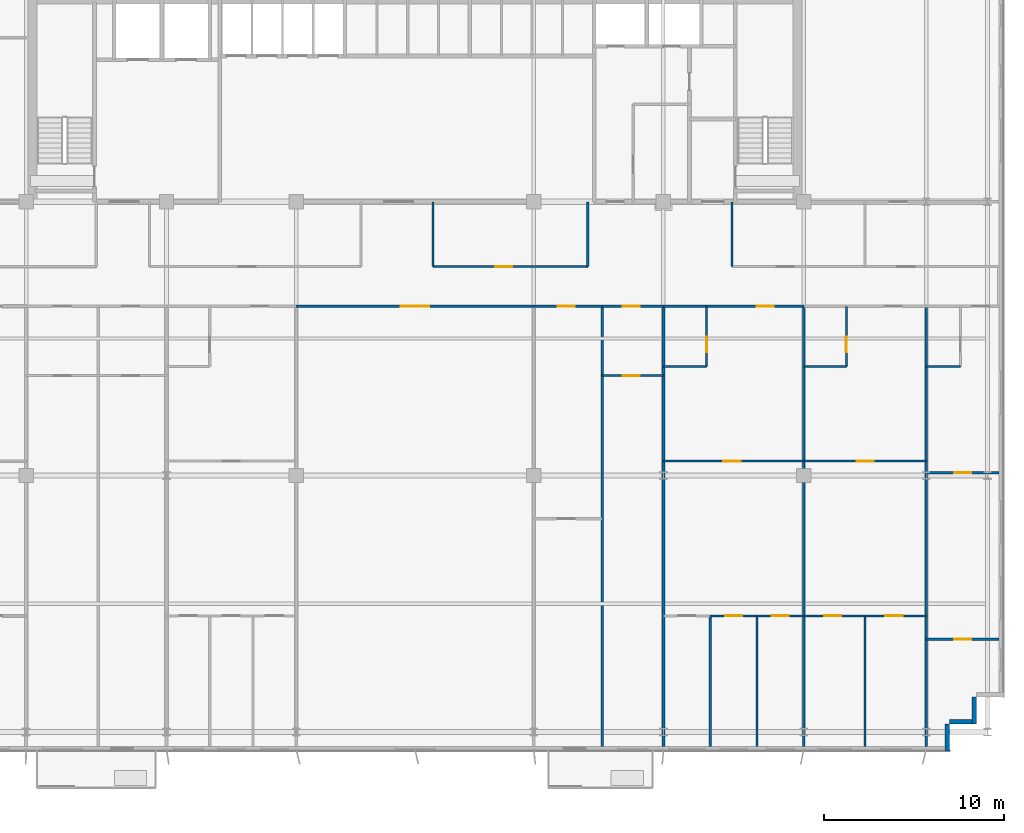
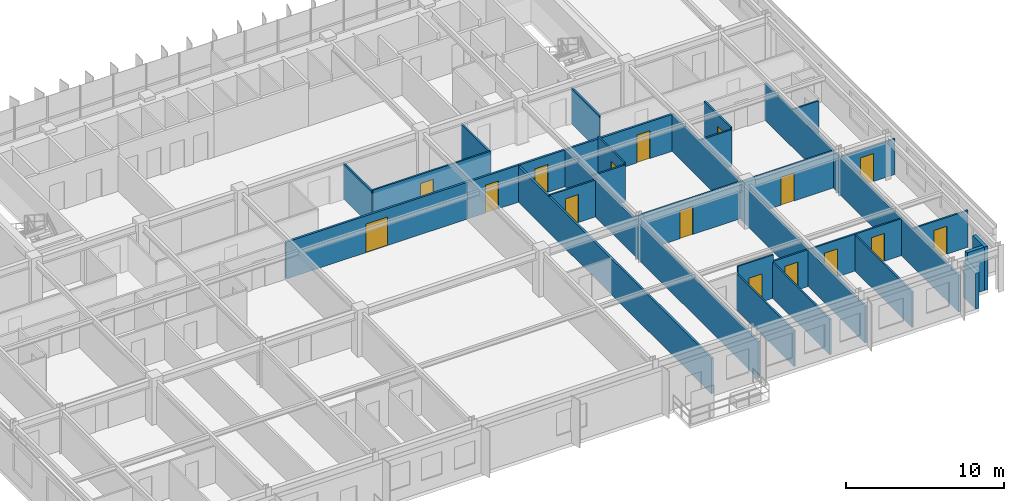
# One storey, part 16 of 22: 32 walls, 16 doors, 16 openings.
"""IFC4 building model written with IfcOpenShell, lengths in metres."""

from ifc_helpers import new_model, si_unit, direction, frame, frame_2d, origin, place, context, subcontext, project, spatial, rectangle, extrude, source, transform, mapped, material, layer, layer_set, type_object, element, fill, save


model = new_model("IFC4")

# Units and contexts
model_context = context("Model", 3, precision=1e-05, world=origin(), true_north=direction((0.0, 1.0)))
body_context = subcontext(model_context, "Body", "Model", "MODEL_VIEW")
ifc_project = project(units=[si_unit("LENGTHUNIT", "METRE"), si_unit("AREAUNIT", "SQUARE_METRE"), si_unit("VOLUMEUNIT", "CUBIC_METRE"), si_unit("PLANEANGLEUNIT", "RADIAN"), si_unit("MASSUNIT", "GRAM", prefix="KILO")], contexts=[model_context])

# Site, building, storey
site_placement = place(None, origin())
site = spatial("IfcSite", under=ifc_project, at=site_placement, CompositionType="ELEMENT")
building_placement = place(site_placement, origin())
building = spatial("IfcBuilding", under=site, at=building_placement, Name="Trelvane Seafront Commons", CompositionType="ELEMENT")
storey_placement = place(building_placement, frame((0.0, 0.0, 92.5)))
storey = spatial("IfcBuildingStorey", under=building, at=storey_placement, Name="L23", CompositionType="ELEMENT", Elevation=92.5)

# Walls
ifc_material_1 = material(Name="Precast concrete C40/50", Category="concrete")
ifc_layer_1 = layer(ifc_material_1, 0.260009765625, Name="ARCH-WALL-EXT260")
ifc_layer_set_1 = layer_set([ifc_layer_1], Name="Precast concrete C40/50")
wall_type_1 = type_object("IfcWallType", Name="ARCH-WALL-EXT260", PredefinedType="SOLIDWALL", material=ifc_layer_set_1)
for number, where, z_axis, x_axis, name in (
    (1, (68.27001953125, 5.89990234375, 0.0), (0.0, 0.0, 1.0), (0.0, -1.0, 0.0), "EW-L23-00428"),
    (2, (68.39990234375, 4.530029296875, 0.0), (0.0, 0.0, 1.0), (-1.0, 0.0, 0.0), "EW-L23-00429"),
):
    element("IfcWall", number, at=place(storey_placement, frame(where, z_axis=z_axis, x_axis=x_axis)), inside=storey, type_object=wall_type_1, Name=name, PredefinedType="SOLIDWALL", context=body_context, shape_type="SweptSolid", body=[
        extrude(rectangle(XDim=1.5, YDim=0.260009765625, at=frame_2d((0.75, 0.0))), origin(), (0.0, 0.0, 1.0), 3.340087890625),
    ])
wall_1_placement = place(storey_placement, frame((66.77001953125, 4.39990234375, 0.0), z_axis=(0.0, 0.0, 1.0), x_axis=(0.0, -1.0, 0.0)))
element("IfcWall", 3, at=wall_1_placement, inside=storey, type_object=wall_type_1, Name="EW-L23-00430", PredefinedType="SOLIDWALL", context=body_context, shape_type="SweptSolid", body=[
    extrude(rectangle(XDim=1.5, YDim=0.260009765625, at=frame_2d((0.75, 0.0))), origin(), (0.0, 0.0, 1.0), 2.751953125),
])

# Wall, opening, door
ifc_material_2 = material(Name="Gypsum Drywall Acoustic Partition")
ifc_layer_2 = layer(ifc_material_2, 0.1201171875, Name="ARCH-WALL-PART120")
ifc_layer_set_2 = layer_set([ifc_layer_2], Name="Gypsum Drywall Acoustic Partition")
wall_type_2 = type_object("IfcWallType", Name="ARCH-WALL-PART120", PredefinedType="PARTITIONING", material=ifc_layer_set_2)
wall_2_placement = place(storey_placement, frame((38.199951171875, 29.800048828125, 0.0), z_axis=(0.0, 0.0, 1.0), x_axis=(1.0, 0.0, 0.0)))
wall_2 = element("IfcWall", 4, at=wall_2_placement, inside=storey, type_object=wall_type_2, Name="W-L23-CORR-N-M2-040", PredefinedType="PARTITIONING", context=body_context, shape_type="SweptSolid", body=[
    extrude(rectangle(XDim=8.60009765625, YDim=0.1201171875, at=frame_2d((4.300048828125, 0.0))), origin(), (0.0, 0.0, 1.0), 2.840087890625),
])
opening_1_placement = place(wall_2_placement, frame((3.4619140625, 0.0, 0.0)))
opening_1 = element("IfcOpeningElement", 5, at=opening_1_placement, cuts=wall_2, Name="Opening D-L23-19", PredefinedType="OPENING", context=body_context, shape_type="SweptSolid", body=[
    extrude(rectangle(XDim=0.949951171875, YDim=2.14990234375, at=frame_2d((0.47509765625, 1.074951171875))), frame((0.0, 0.070068359375, 0.0), z_axis=(0.0, -1.0, 0.0), x_axis=(1.0, 0.0, 0.0)), (0.0, 0.0, 1.0), 0.14013671875),
])
ifc_material_3 = material(Name="Acoustic timber door leaf", Category="wood")
door_type_1 = type_object("IfcDoorType", Name="ARCH-DR-INT950", OperationType="NOTDEFINED", PredefinedType="DOOR", material=ifc_material_3)
shared_shape_1 = source(origin(), body_context, "Body", "SweptSolid", [
    extrude(rectangle(XDim=0.949951171875, YDim=2.14990234375, at=frame_2d((0.47509765625, 1.074951171875))), frame((0.0, 0.02490234375, 0.0), z_axis=(0.0, -1.0, 0.0), x_axis=(1.0, 0.0, 0.0)), (0.0, 0.0, 1.0), 0.050048828125),
])
door_1_placement = place(opening_1_placement, origin())
door_1 = element("IfcDoor", 6, at=door_1_placement, inside=storey, type_object=door_type_1, Name="L23 Door 19", OperationType="SINGLE_SWING_LEFT", OverallHeight=2.14990234375, OverallWidth=0.949951171875, PredefinedType="DOOR", context=body_context, shape_type="MappedRepresentation", body=[
    mapped(shared_shape_1, transform((0.0, 0.0, 0.0), x_axis=(1.0, 0.0, 0.0), y_axis=(0.0, 1.0, 0.0), z_axis=(0.0, 0.0, 1.0), scale=1.0)),
])
fill(opening_1, door_1)

# Walls
for number, where, z_axis, x_axis, name in (
    (7, (38.199951171875, 29.800048828125, 0.0), (0.0, 0.0, 1.0), (0.0, 1.0, 0.0), "W-L23-N-SPUR-M2-046"),
    (8, (46.800048828125, 29.800048828125, 0.0), (0.0, 0.0, 1.0), (0.0, 1.0, 0.0), "W-L23-N-SPUR-E1-047"),
    (9, (54.800048828125, 29.800048828125, 0.0), (0.0, 0.0, 1.0), (0.0, 1.0, 0.0), "W-L23-N-SPUR-E2-048"),
):
    element("IfcWall", number, at=place(storey_placement, frame(where, z_axis=z_axis, x_axis=x_axis)), inside=storey, type_object=wall_type_2, Name=name, PredefinedType="PARTITIONING", context=body_context, shape_type="SweptSolid", body=[
        extrude(rectangle(XDim=3.599853515625, YDim=0.1201171875, at=frame_2d((1.7998046875, 0.0))), origin(), (0.0, 0.0, 1.0), 2.751953125),
    ])

# Wall, opening, door
wall_3_placement = place(storey_placement, frame((47.60009765625, 23.75, 0.0), z_axis=(0.0, 0.0, 1.0), x_axis=(1.0, 0.0, 0.0)))
wall_3 = element("IfcWall", 10, at=wall_3_placement, inside=storey, type_object=wall_type_2, Name="W-L23-U8-DIV-098", PredefinedType="PARTITIONING", context=body_context, shape_type="SweptSolid", body=[
    extrude(rectangle(XDim=3.39990234375, YDim=0.1201171875, at=frame_2d((1.699951171875, 0.0))), origin(), (0.0, 0.0, 1.0), 2.840087890625),
])
opening_2_placement = place(wall_3_placement, frame((1.131103515625, 0.0, 0.0)))
opening_2 = element("IfcOpeningElement", 11, at=opening_2_placement, cuts=wall_3, Name="Opening D-L23-53", PredefinedType="OPENING", context=body_context, shape_type="SweptSolid", body=[
    extrude(rectangle(XDim=0.949951171875, YDim=2.14990234375, at=frame_2d((0.47509765625, 1.074951171875))), frame((0.0, 0.070068359375, 0.0), z_axis=(0.0, -1.0, 0.0), x_axis=(1.0, 0.0, 0.0)), (0.0, 0.0, 1.0), 0.14013671875),
])
door_2_placement = place(opening_2_placement, origin())
door_2 = element("IfcDoor", 12, at=door_2_placement, inside=storey, type_object=door_type_1, Name="L23 Door 53", OperationType="SINGLE_SWING_LEFT", OverallHeight=2.14990234375, OverallWidth=0.949951171875, PredefinedType="DOOR", context=body_context, shape_type="MappedRepresentation", body=[
    mapped(shared_shape_1, transform((0.0, 0.0, 0.0), x_axis=(1.0, 0.0, 0.0), y_axis=(0.0, 1.0, 0.0), z_axis=(0.0, 0.0, 1.0), scale=1.0)),
])
fill(opening_2, door_2)

wall_4_placement = place(storey_placement, frame((51.0, 19.0, 0.0), z_axis=(0.0, 0.0, 1.0), x_axis=(1.0, 0.0, 0.0)))
wall_4 = element("IfcWall", 13, at=wall_4_placement, inside=storey, type_object=wall_type_2, Name="W-L23-U9-KL-099", PredefinedType="PARTITIONING", context=body_context, shape_type="SweptSolid", body=[
    extrude(rectangle(XDim=7.800048828125, YDim=0.1201171875, at=frame_2d((3.89990234375, 0.0))), origin(), (0.0, 0.0, 1.0), 2.840087890625),
])
opening_3_placement = place(wall_4_placement, frame((3.3330078125, 0.0, 0.0)))
opening_3 = element("IfcOpeningElement", 14, at=opening_3_placement, cuts=wall_4, Name="Opening D-L23-54", PredefinedType="OPENING", context=body_context, shape_type="SweptSolid", body=[
    extrude(rectangle(XDim=0.949951171875, YDim=2.14990234375, at=frame_2d((0.47509765625, 1.074951171875))), frame((0.0, 0.070068359375, 0.0), z_axis=(0.0, -1.0, 0.0), x_axis=(1.0, 0.0, 0.0)), (0.0, 0.0, 1.0), 0.14013671875),
])
door_3_placement = place(opening_3_placement, origin())
door_3 = element("IfcDoor", 15, at=door_3_placement, inside=storey, type_object=door_type_1, Name="L23 Door 54", OperationType="SINGLE_SWING_RIGHT", OverallHeight=2.14990234375, OverallWidth=0.949951171875, PredefinedType="DOOR", context=body_context, shape_type="MappedRepresentation", body=[
    mapped(shared_shape_1, transform((0.0, 0.0, 0.0), x_axis=(1.0, 0.0, 0.0), y_axis=(0.0, 1.0, 0.0), z_axis=(0.0, 0.0, 1.0), scale=1.0)),
])
fill(opening_3, door_3)

wall_5_placement = place(storey_placement, frame((53.39990234375, 24.25, 0.0), z_axis=(0.0, 0.0, 1.0), x_axis=(0.0, 1.0, 0.0)))
wall_5 = element("IfcWall", 16, at=wall_5_placement, inside=storey, type_object=wall_type_2, Name="W-L23-U9-BE-100", PredefinedType="PARTITIONING", context=body_context, shape_type="SweptSolid", body=[
    extrude(rectangle(XDim=3.35009765625, YDim=0.1201171875, at=frame_2d((1.675048828125, 0.0))), origin(), (0.0, 0.0, 1.0), 2.989990234375),
])
opening_4_placement = place(wall_5_placement, frame((0.800048828125, 0.0, 0.0)))
opening_4 = element("IfcOpeningElement", 17, at=opening_4_placement, cuts=wall_5, Name="Opening D-L23-55", PredefinedType="OPENING", context=body_context, shape_type="SweptSolid", body=[
    extrude(rectangle(XDim=0.85009765625, YDim=2.10009765625, at=frame_2d((0.425048828125, 1.050048828125))), frame((0.0, 0.070068359375, 0.0), z_axis=(0.0, -1.0, 0.0), x_axis=(1.0, 0.0, 0.0)), (0.0, 0.0, 1.0), 0.14013671875),
])
door_type_2 = type_object("IfcDoorType", Name="ARCH-DR-INT850", OperationType="NOTDEFINED", PredefinedType="DOOR", material=ifc_material_3)
shared_shape_2 = source(origin(), body_context, "Body", "SweptSolid", [
    extrude(rectangle(XDim=0.85009765625, YDim=2.10009765625, at=frame_2d((0.425048828125, 1.050048828125))), frame((0.0, 0.02490234375, 0.0), z_axis=(0.0, -1.0, 0.0), x_axis=(1.0, 0.0, 0.0)), (0.0, 0.0, 1.0), 0.050048828125),
])
door_4_placement = place(opening_4_placement, origin())
door_4 = element("IfcDoor", 18, at=door_4_placement, inside=storey, type_object=door_type_2, Name="L23 Door 55", OperationType="SINGLE_SWING_LEFT", OverallHeight=2.10009765625, OverallWidth=0.85009765625, PredefinedType="DOOR", context=body_context, shape_type="MappedRepresentation", body=[
    mapped(shared_shape_2, transform((0.0, 0.0, 0.0), x_axis=(1.0, 0.0, 0.0), y_axis=(0.0, 1.0, 0.0), z_axis=(0.0, 0.0, 1.0), scale=1.0)),
])
fill(opening_4, door_4)

# Wall
wall_6_placement = place(storey_placement, frame((51.0, 24.25, 0.0), z_axis=(0.0, 0.0, 1.0), x_axis=(1.0, 0.0, 0.0)))
element("IfcWall", 19, at=wall_6_placement, inside=storey, type_object=wall_type_2, Name="W-L23-U9-BS-101", PredefinedType="PARTITIONING", context=body_context, shape_type="SweptSolid", body=[
    extrude(rectangle(XDim=2.39990234375, YDim=0.1201171875, at=frame_2d((1.199951171875, 0.0))), origin(), (0.0, 0.0, 1.0), 2.840087890625),
])

# Wall, opening, door
wall_7_placement = place(storey_placement, frame((53.60009765625, 10.39990234375, 0.0), z_axis=(0.0, 0.0, 1.0), x_axis=(1.0, 0.0, 0.0)))
wall_7 = element("IfcWall", 20, at=wall_7_placement, inside=storey, type_object=wall_type_2, Name="W-L23-U9-YM-2-104", PredefinedType="PARTITIONING", context=body_context, shape_type="SweptSolid", body=[
    extrude(rectangle(XDim=2.599853515625, YDim=0.1201171875, at=frame_2d((1.2998046875, 0.0))), origin(), (0.0, 0.0, 1.0), 3.340087890625),
])
opening_5_placement = place(wall_7_placement, frame((0.824951171875, 0.0, 0.0)))
opening_5 = element("IfcOpeningElement", 21, at=opening_5_placement, cuts=wall_7, Name="Opening D-L23-58", PredefinedType="OPENING", context=body_context, shape_type="SweptSolid", body=[
    extrude(rectangle(XDim=0.949951171875, YDim=2.14990234375, at=frame_2d((0.47509765625, 1.074951171875))), frame((0.0, 0.070068359375, 0.0), z_axis=(0.0, -1.0, 0.0), x_axis=(1.0, 0.0, 0.0)), (0.0, 0.0, 1.0), 0.14013671875),
])
door_5_placement = place(opening_5_placement, origin())
door_5 = element("IfcDoor", 22, at=door_5_placement, inside=storey, type_object=door_type_1, Name="L23 Door 58", OperationType="SINGLE_SWING_RIGHT", OverallHeight=2.14990234375, OverallWidth=0.949951171875, PredefinedType="DOOR", context=body_context, shape_type="MappedRepresentation", body=[
    mapped(shared_shape_1, transform((0.0, 0.0, 0.0), x_axis=(1.0, 0.0, 0.0), y_axis=(0.0, 1.0, 0.0), z_axis=(0.0, 0.0, 1.0), scale=1.0)),
])
fill(opening_5, door_5)

# Wall
wall_8_placement = place(storey_placement, frame((53.60009765625, 3.14501953125, 0.0), z_axis=(0.0, 0.0, 1.0), x_axis=(0.0, 1.0, 0.0)))
element("IfcWall", 23, at=wall_8_placement, inside=storey, type_object=wall_type_2, Name="W-L23-U9-BDV-1-105", PredefinedType="PARTITIONING", context=body_context, shape_type="SweptSolid", body=[
    extrude(rectangle(XDim=7.2548828125, YDim=0.1201171875, at=frame_2d((3.62744140625, 0.0))), origin(), (0.0, 0.0, 1.0), 2.751953125),
])

# Wall, opening, door
wall_9_placement = place(storey_placement, frame((56.199951171875, 10.39990234375, 0.0), z_axis=(0.0, 0.0, 1.0), x_axis=(1.0, 0.0, 0.0)))
wall_9 = element("IfcWall", 24, at=wall_9_placement, inside=storey, type_object=wall_type_2, Name="W-L23-U9-YM-3-106", PredefinedType="PARTITIONING", context=body_context, shape_type="SweptSolid", body=[
    extrude(rectangle(XDim=2.60009765625, YDim=0.1201171875, at=frame_2d((1.300048828125, 0.0))), origin(), (0.0, 0.0, 1.0), 2.840087890625),
])
opening_6_placement = place(wall_9_placement, frame((0.824951171875, 0.0, 0.0)))
opening_6 = element("IfcOpeningElement", 25, at=opening_6_placement, cuts=wall_9, Name="Opening D-L23-59", PredefinedType="OPENING", context=body_context, shape_type="SweptSolid", body=[
    extrude(rectangle(XDim=0.949951171875, YDim=2.14990234375, at=frame_2d((0.47509765625, 1.074951171875))), frame((0.0, 0.070068359375, 0.0), z_axis=(0.0, -1.0, 0.0), x_axis=(1.0, 0.0, 0.0)), (0.0, 0.0, 1.0), 0.14013671875),
])
door_6_placement = place(opening_6_placement, origin())
door_6 = element("IfcDoor", 26, at=door_6_placement, inside=storey, type_object=door_type_1, Name="L23 Door 59", OperationType="SINGLE_SWING_LEFT", OverallHeight=2.14990234375, OverallWidth=0.949951171875, PredefinedType="DOOR", context=body_context, shape_type="MappedRepresentation", body=[
    mapped(shared_shape_1, transform((0.0, 0.0, 0.0), x_axis=(1.0, 0.0, 0.0), y_axis=(0.0, 1.0, 0.0), z_axis=(0.0, 0.0, 1.0), scale=1.0)),
])
fill(opening_6, door_6)

# Wall
wall_10_placement = place(storey_placement, frame((56.199951171875, 3.14501953125, 0.0), z_axis=(0.0, 0.0, 1.0), x_axis=(0.0, 1.0, 0.0)))
element("IfcWall", 27, at=wall_10_placement, inside=storey, type_object=wall_type_2, Name="W-L23-U9-BDV-2-107", PredefinedType="PARTITIONING", context=body_context, shape_type="SweptSolid", body=[
    extrude(rectangle(XDim=7.2548828125, YDim=0.1201171875, at=frame_2d((3.62744140625, 0.0))), origin(), (0.0, 0.0, 1.0), 2.751953125),
])

# Wall, opening, door
wall_11_placement = place(storey_placement, frame((58.800048828125, 19.0, 0.0), z_axis=(0.0, 0.0, 1.0), x_axis=(1.0, 0.0, 0.0)))
wall_11 = element("IfcWall", 28, at=wall_11_placement, inside=storey, type_object=wall_type_2, Name="W-L23-U10-KL-108", PredefinedType="PARTITIONING", context=body_context, shape_type="SweptSolid", body=[
    extrude(rectangle(XDim=6.800048828125, YDim=0.1201171875, at=frame_2d((3.39990234375, 0.0))), origin(), (0.0, 0.0, 1.0), 2.840087890625),
])
opening_7_placement = place(wall_11_placement, frame((2.925048828125, 0.0, 0.0)))
opening_7 = element("IfcOpeningElement", 29, at=opening_7_placement, cuts=wall_11, Name="Opening D-L23-60", PredefinedType="OPENING", context=body_context, shape_type="SweptSolid", body=[
    extrude(rectangle(XDim=0.949951171875, YDim=2.14990234375, at=frame_2d((0.47509765625, 1.074951171875))), frame((0.0, 0.070068359375, 0.0), z_axis=(0.0, -1.0, 0.0), x_axis=(1.0, 0.0, 0.0)), (0.0, 0.0, 1.0), 0.14013671875),
])
door_7_placement = place(opening_7_placement, origin())
door_7 = element("IfcDoor", 30, at=door_7_placement, inside=storey, type_object=door_type_1, Name="L23 Door 60", OperationType="SINGLE_SWING_RIGHT", OverallHeight=2.14990234375, OverallWidth=0.949951171875, PredefinedType="DOOR", context=body_context, shape_type="MappedRepresentation", body=[
    mapped(shared_shape_1, transform((0.0, 0.0, 0.0), x_axis=(1.0, 0.0, 0.0), y_axis=(0.0, 1.0, 0.0), z_axis=(0.0, 0.0, 1.0), scale=1.0)),
])
fill(opening_7, door_7)

wall_12_placement = place(storey_placement, frame((61.162109375, 24.25, 0.0), z_axis=(0.0, 0.0, 1.0), x_axis=(0.0, 1.0, 0.0)))
wall_12 = element("IfcWall", 31, at=wall_12_placement, inside=storey, type_object=wall_type_2, Name="W-L23-U10-BE-109", PredefinedType="PARTITIONING", context=body_context, shape_type="SweptSolid", body=[
    extrude(rectangle(XDim=3.35009765625, YDim=0.1201171875, at=frame_2d((1.675048828125, 0.0))), origin(), (0.0, 0.0, 1.0), 2.989990234375),
])
opening_8_placement = place(wall_12_placement, frame((0.800048828125, 0.0, 0.0)))
opening_8 = element("IfcOpeningElement", 32, at=opening_8_placement, cuts=wall_12, Name="Opening D-L23-61", PredefinedType="OPENING", context=body_context, shape_type="SweptSolid", body=[
    extrude(rectangle(XDim=0.85009765625, YDim=2.10009765625, at=frame_2d((0.425048828125, 1.050048828125))), frame((0.0, 0.070068359375, 0.0), z_axis=(0.0, -1.0, 0.0), x_axis=(1.0, 0.0, 0.0)), (0.0, 0.0, 1.0), 0.14013671875),
])
door_8_placement = place(opening_8_placement, origin())
door_8 = element("IfcDoor", 33, at=door_8_placement, inside=storey, type_object=door_type_2, Name="L23 Door 61", OperationType="SINGLE_SWING_LEFT", OverallHeight=2.10009765625, OverallWidth=0.85009765625, PredefinedType="DOOR", context=body_context, shape_type="MappedRepresentation", body=[
    mapped(shared_shape_2, transform((0.0, 0.0, 0.0), x_axis=(1.0, 0.0, 0.0), y_axis=(0.0, 1.0, 0.0), z_axis=(0.0, 0.0, 1.0), scale=1.0)),
])
fill(opening_8, door_8)

# Wall
wall_13_placement = place(storey_placement, frame((58.800048828125, 24.25, 0.0), z_axis=(0.0, 0.0, 1.0), x_axis=(1.0, 0.0, 0.0)))
element("IfcWall", 34, at=wall_13_placement, inside=storey, type_object=wall_type_2, Name="W-L23-U10-BS-110", PredefinedType="PARTITIONING", context=body_context, shape_type="SweptSolid", body=[
    extrude(rectangle(XDim=2.362060546875, YDim=0.1201171875, at=frame_2d((1.18115234375, 0.0))), origin(), (0.0, 0.0, 1.0), 2.840087890625),
])

# Wall, opening, door
wall_14_placement = place(storey_placement, frame((58.800048828125, 10.39990234375, 0.0), z_axis=(0.0, 0.0, 1.0), x_axis=(1.0, 0.0, 0.0)))
wall_14 = element("IfcWall", 35, at=wall_14_placement, inside=storey, type_object=wall_type_2, Name="W-L23-U10-YM-1-112", PredefinedType="PARTITIONING", context=body_context, shape_type="SweptSolid", body=[
    extrude(rectangle(XDim=3.39990234375, YDim=0.1201171875, at=frame_2d((1.699951171875, 0.0))), origin(), (0.0, 0.0, 1.0), 2.840087890625),
])
opening_9_placement = place(wall_14_placement, frame((1.131103515625, 0.0, 0.0)))
opening_9 = element("IfcOpeningElement", 36, at=opening_9_placement, cuts=wall_14, Name="Opening D-L23-63", PredefinedType="OPENING", context=body_context, shape_type="SweptSolid", body=[
    extrude(rectangle(XDim=0.949951171875, YDim=2.14990234375, at=frame_2d((0.47509765625, 1.074951171875))), frame((0.0, 0.070068359375, 0.0), z_axis=(0.0, -1.0, 0.0), x_axis=(1.0, 0.0, 0.0)), (0.0, 0.0, 1.0), 0.14013671875),
])
door_9_placement = place(opening_9_placement, origin())
door_9 = element("IfcDoor", 37, at=door_9_placement, inside=storey, type_object=door_type_1, Name="L23 Door 63", OperationType="SINGLE_SWING_LEFT", OverallHeight=2.14990234375, OverallWidth=0.949951171875, PredefinedType="DOOR", context=body_context, shape_type="MappedRepresentation", body=[
    mapped(shared_shape_1, transform((0.0, 0.0, 0.0), x_axis=(1.0, 0.0, 0.0), y_axis=(0.0, 1.0, 0.0), z_axis=(0.0, 0.0, 1.0), scale=1.0)),
])
fill(opening_9, door_9)

wall_15_placement = place(storey_placement, frame((62.199951171875, 10.39990234375, 0.0), z_axis=(0.0, 0.0, 1.0), x_axis=(1.0, 0.0, 0.0)))
wall_15 = element("IfcWall", 38, at=wall_15_placement, inside=storey, type_object=wall_type_2, Name="W-L23-U10-YM-2-113", PredefinedType="PARTITIONING", context=body_context, shape_type="SweptSolid", body=[
    extrude(rectangle(XDim=3.400146484375, YDim=0.1201171875, at=frame_2d((1.7001953125, 0.0))), origin(), (0.0, 0.0, 1.0), 2.840087890625),
])
opening_10_placement = place(wall_15_placement, frame((1.131103515625, 0.0, 0.0)))
opening_10 = element("IfcOpeningElement", 39, at=opening_10_placement, cuts=wall_15, Name="Opening D-L23-64", PredefinedType="OPENING", context=body_context, shape_type="SweptSolid", body=[
    extrude(rectangle(XDim=0.949951171875, YDim=2.14990234375, at=frame_2d((0.47509765625, 1.074951171875))), frame((0.0, 0.070068359375, 0.0), z_axis=(0.0, -1.0, 0.0), x_axis=(1.0, 0.0, 0.0)), (0.0, 0.0, 1.0), 0.14013671875),
])
door_10_placement = place(opening_10_placement, origin())
door_10 = element("IfcDoor", 40, at=door_10_placement, inside=storey, type_object=door_type_1, Name="L23 Door 64", OperationType="SINGLE_SWING_RIGHT", OverallHeight=2.14990234375, OverallWidth=0.949951171875, PredefinedType="DOOR", context=body_context, shape_type="MappedRepresentation", body=[
    mapped(shared_shape_1, transform((0.0, 0.0, 0.0), x_axis=(1.0, 0.0, 0.0), y_axis=(0.0, 1.0, 0.0), z_axis=(0.0, 0.0, 1.0), scale=1.0)),
])
fill(opening_10, door_10)

# Wall
wall_16_placement = place(storey_placement, frame((62.199951171875, 3.14501953125, 0.0), z_axis=(0.0, 0.0, 1.0), x_axis=(0.0, 1.0, 0.0)))
element("IfcWall", 41, at=wall_16_placement, inside=storey, type_object=wall_type_2, Name="W-L23-U10-BDV-1-114", PredefinedType="PARTITIONING", context=body_context, shape_type="SweptSolid", body=[
    extrude(rectangle(XDim=7.2548828125, YDim=0.1201171875, at=frame_2d((3.62744140625, 0.0))), origin(), (0.0, 0.0, 1.0), 2.751953125),
])

# Wall, opening, door
wall_17_placement = place(storey_placement, frame((65.60009765625, 18.35009765625, 0.0), z_axis=(0.0, 0.0, 1.0), x_axis=(1.0, 0.0, 0.0)))
wall_17 = element("IfcWall", 42, at=wall_17_placement, inside=storey, type_object=wall_type_2, Name="W-L23-U11-KL-115", PredefinedType="PARTITIONING", context=body_context, shape_type="SweptSolid", body=[
    extrude(rectangle(XDim=4.039794921875, YDim=0.1201171875, at=frame_2d((2.02001953125, 0.0))), origin(), (0.0, 0.0, 1.0), 2.751953125),
])
opening_11_placement = place(wall_17_placement, frame((1.544921875, 0.0, 0.0)))
opening_11 = element("IfcOpeningElement", 43, at=opening_11_placement, cuts=wall_17, Name="Opening D-L23-65", PredefinedType="OPENING", context=body_context, shape_type="SweptSolid", body=[
    extrude(rectangle(XDim=0.949951171875, YDim=2.14990234375, at=frame_2d((0.47509765625, 1.074951171875))), frame((0.0, 0.070068359375, 0.0), z_axis=(0.0, -1.0, 0.0), x_axis=(1.0, 0.0, 0.0)), (0.0, 0.0, 1.0), 0.14013671875),
])
door_11_placement = place(opening_11_placement, origin())
door_11 = element("IfcDoor", 44, at=door_11_placement, inside=storey, type_object=door_type_1, Name="L23 Door 65", OperationType="SINGLE_SWING_LEFT", OverallHeight=2.14990234375, OverallWidth=0.949951171875, PredefinedType="DOOR", context=body_context, shape_type="MappedRepresentation", body=[
    mapped(shared_shape_1, transform((0.0, 0.0, 0.0), x_axis=(1.0, 0.0, 0.0), y_axis=(0.0, 1.0, 0.0), z_axis=(0.0, 0.0, 1.0), scale=1.0)),
])
fill(opening_11, door_11)

# Wall
wall_18_placement = place(storey_placement, frame((65.60009765625, 24.25, 0.0), z_axis=(0.0, 0.0, 1.0), x_axis=(1.0, 0.0, 0.0)))
element("IfcWall", 45, at=wall_18_placement, inside=storey, type_object=wall_type_2, Name="W-L23-U11-BS-117", PredefinedType="PARTITIONING", context=body_context, shape_type="SweptSolid", body=[
    extrude(rectangle(XDim=1.89990234375, YDim=0.1201171875, at=frame_2d((0.949951171875, 0.0))), origin(), (0.0, 0.0, 1.0), 2.840087890625),
])

# Wall, opening, door
wall_19_placement = place(storey_placement, frame((65.60009765625, 9.10009765625, 0.0), z_axis=(0.0, 0.0, 1.0), x_axis=(1.0, 0.0, 0.0)))
wall_19 = element("IfcWall", 46, at=wall_19_placement, inside=storey, type_object=wall_type_2, Name="W-L23-U11-YM-1-119", PredefinedType="PARTITIONING", context=body_context, shape_type="SweptSolid", body=[
    extrude(rectangle(XDim=4.039794921875, YDim=0.1201171875, at=frame_2d((2.02001953125, 0.0))), origin(), (0.0, 0.0, 1.0), 2.840087890625),
])
opening_12_placement = place(wall_19_placement, frame((1.544921875, 0.0, 0.0)))
opening_12 = element("IfcOpeningElement", 47, at=opening_12_placement, cuts=wall_19, Name="Opening D-L23-68", PredefinedType="OPENING", context=body_context, shape_type="SweptSolid", body=[
    extrude(rectangle(XDim=0.949951171875, YDim=2.14990234375, at=frame_2d((0.47509765625, 1.074951171875))), frame((0.0, 0.070068359375, 0.0), z_axis=(0.0, -1.0, 0.0), x_axis=(1.0, 0.0, 0.0)), (0.0, 0.0, 1.0), 0.14013671875),
])
door_12_placement = place(opening_12_placement, origin())
door_12 = element("IfcDoor", 48, at=door_12_placement, inside=storey, type_object=door_type_1, Name="L23 Door 68", OperationType="SINGLE_SWING_RIGHT", OverallHeight=2.14990234375, OverallWidth=0.949951171875, PredefinedType="DOOR", context=body_context, shape_type="MappedRepresentation", body=[
    mapped(shared_shape_1, transform((0.0, 0.0, 0.0), x_axis=(1.0, 0.0, 0.0), y_axis=(0.0, 1.0, 0.0), z_axis=(0.0, 0.0, 1.0), scale=1.0)),
])
fill(opening_12, door_12)

# Walls
ifc_layer_3 = layer(ifc_material_2, 0.14990234375, Name="ARCH-WALL-PART150")
ifc_layer_set_3 = layer_set([ifc_layer_3], Name="Gypsum Drywall Acoustic Partition")
wall_type_3 = type_object("IfcWallType", Name="ARCH-WALL-PART150", PredefinedType="PARTITIONING", material=ifc_layer_set_3)
wall_20_placement = place(storey_placement, frame((47.60009765625, 3.14501953125, 0.0), z_axis=(0.0, 0.0, 1.0), x_axis=(0.0, 1.0, 0.0)))
element("IfcWall", 49, at=wall_20_placement, inside=storey, type_object=wall_type_3, Name="W-L23-PW-7-065", PredefinedType="PARTITIONING", context=body_context, shape_type="SweptSolid", body=[
    extrude(rectangle(XDim=24.455078125, YDim=0.14990234375, at=frame_2d((12.2275390625, 0.0))), origin(), (0.0, 0.0, 1.0), 2.751953125),
])
for number, where, z_axis, x_axis, name in (
    (50, (51.0, 3.14501953125, 0.0), (0.0, 0.0, 1.0), (0.0, 1.0, 0.0), "W-L23-PW-8-066"),
    (51, (58.800048828125, 3.14501953125, 0.0), (0.0, 0.0, 1.0), (0.0, 1.0, 0.0), "W-L23-PW-9-067"),
    (52, (65.60009765625, 3.14501953125, 0.0), (0.0, 0.0, 1.0), (0.0, 1.0, 0.0), "W-L23-PW-10-068"),
):
    element("IfcWall", number, at=place(storey_placement, frame(where, z_axis=z_axis, x_axis=x_axis)), inside=storey, type_object=wall_type_3, Name=name, PredefinedType="PARTITIONING", context=body_context, shape_type="SweptSolid", body=[
        extrude(rectangle(XDim=24.455078125, YDim=0.14990234375, at=frame_2d((12.2275390625, 0.0))), origin(), (0.0, 0.0, 1.0), 2.840087890625),
    ])

# Wall, opening, door
wall_21_placement = place(storey_placement, frame((30.60009765625, 27.60009765625, 0.0), z_axis=(0.0, 0.0, 1.0), x_axis=(1.0, 0.0, 0.0)))
wall_21 = element("IfcWall", 53, at=wall_21_placement, inside=storey, type_object=wall_type_3, Name="W-L23-CS-BAY-6-094", PredefinedType="PARTITIONING", context=body_context, shape_type="SweptSolid", body=[
    extrude(rectangle(XDim=13.199951171875, YDim=0.14990234375, at=frame_2d((6.60009765625, 0.0))), origin(), (0.0, 0.0, 1.0), 2.840087890625),
])
opening_13_placement = place(wall_21_placement, frame((5.800048828125, 0.0, 0.0)))
opening_13 = element("IfcOpeningElement", 54, at=opening_13_placement, cuts=wall_21, Name="Opening D-L23-49", PredefinedType="OPENING", context=body_context, shape_type="SweptSolid", body=[
    extrude(rectangle(XDim=1.60009765625, YDim=2.199951171875, at=frame_2d((0.800048828125, 1.10009765625))), frame((0.0, 0.0849609375, 0.0), z_axis=(0.0, -1.0, 0.0), x_axis=(1.0, 0.0, 0.0)), (0.0, 0.0, 1.0), 0.169921875),
])
door_type_3 = type_object("IfcDoorType", Name="ARCH-DR-GLZ1600", OperationType="DOUBLE_DOOR_SINGLE_SWING", PredefinedType="DOOR", material=ifc_material_3)
shared_shape_3 = source(origin(), body_context, "Body", "SweptSolid", [
    extrude(rectangle(XDim=1.60009765625, YDim=2.199951171875, at=frame_2d((0.800048828125, 1.10009765625))), frame((0.0, 0.02490234375, 0.0), z_axis=(0.0, -1.0, 0.0), x_axis=(1.0, 0.0, 0.0)), (0.0, 0.0, 1.0), 0.050048828125),
])
door_13_placement = place(opening_13_placement, origin())
door_13 = element("IfcDoor", 55, at=door_13_placement, inside=storey, type_object=door_type_3, Name="L23 Commons Lounge 06 Door", OperationType="DOUBLE_DOOR_SINGLE_SWING", OverallHeight=2.199951171875, OverallWidth=1.60009765625, PredefinedType="DOOR", context=body_context, shape_type="MappedRepresentation", body=[
    mapped(shared_shape_3, transform((0.0, 0.0, 0.0), x_axis=(1.0, 0.0, 0.0), y_axis=(0.0, 1.0, 0.0), z_axis=(0.0, 0.0, 1.0), scale=1.0)),
])
fill(opening_13, door_13)

wall_22_placement = place(storey_placement, frame((43.800048828125, 27.60009765625, 0.0), z_axis=(0.0, 0.0, 1.0), x_axis=(1.0, 0.0, 0.0)))
wall_22 = element("IfcWall", 56, at=wall_22_placement, inside=storey, type_object=wall_type_3, Name="W-L23-CS-BAY-7-095", PredefinedType="PARTITIONING", context=body_context, shape_type="SweptSolid", body=[
    extrude(rectangle(XDim=3.800048828125, YDim=0.14990234375, at=frame_2d((1.89990234375, 0.0))), origin(), (0.0, 0.0, 1.0), 2.840087890625),
])
opening_14_placement = place(wall_22_placement, frame((1.330078125, 0.0, 0.0)))
opening_14 = element("IfcOpeningElement", 57, at=opening_14_placement, cuts=wall_22, Name="Opening FD-L23-50", PredefinedType="OPENING", context=body_context, shape_type="SweptSolid", body=[
    extrude(rectangle(XDim=0.949951171875, YDim=2.14990234375, at=frame_2d((0.47509765625, 1.074951171875))), frame((0.0, 0.0849609375, 0.0), z_axis=(0.0, -1.0, 0.0), x_axis=(1.0, 0.0, 0.0)), (0.0, 0.0, 1.0), 0.169921875),
])
ifc_material_4 = material(Name="Powder-coated aluminium frame", Category="aluminium")
door_type_4 = type_object("IfcDoorType", Name="ARCH-DR-FD60-950", OperationType="NOTDEFINED", PredefinedType="DOOR", material=ifc_material_4)
door_14_placement = place(opening_14_placement, origin())
door_14 = element("IfcDoor", 58, at=door_14_placement, inside=storey, type_object=door_type_4, Name="L23 Bay 07 Entrance Door", OperationType="SINGLE_SWING_RIGHT", OverallHeight=2.14990234375, OverallWidth=0.949951171875, PredefinedType="DOOR", context=body_context, shape_type="MappedRepresentation", body=[
    mapped(shared_shape_1, transform((0.0, 0.0, 0.0), x_axis=(1.0, 0.0, 0.0), y_axis=(0.0, 1.0, 0.0), z_axis=(0.0, 0.0, 1.0), scale=1.0)),
])
fill(opening_14, door_14)

wall_23_placement = place(storey_placement, frame((47.60009765625, 27.60009765625, 0.0), z_axis=(0.0, 0.0, 1.0), x_axis=(1.0, 0.0, 0.0)))
wall_23 = element("IfcWall", 59, at=wall_23_placement, inside=storey, type_object=wall_type_3, Name="W-L23-CS-BAY-8-097", PredefinedType="PARTITIONING", context=body_context, shape_type="SweptSolid", body=[
    extrude(rectangle(XDim=3.39990234375, YDim=0.14990234375, at=frame_2d((1.699951171875, 0.0))), origin(), (0.0, 0.0, 1.0), 2.840087890625),
])
opening_15_placement = place(wall_23_placement, frame((1.131103515625, 0.0, 0.0)))
opening_15 = element("IfcOpeningElement", 60, at=opening_15_placement, cuts=wall_23, Name="Opening FD-L23-52", PredefinedType="OPENING", context=body_context, shape_type="SweptSolid", body=[
    extrude(rectangle(XDim=0.949951171875, YDim=2.14990234375, at=frame_2d((0.47509765625, 1.074951171875))), frame((0.0, 0.0849609375, 0.0), z_axis=(0.0, -1.0, 0.0), x_axis=(1.0, 0.0, 0.0)), (0.0, 0.0, 1.0), 0.169921875),
])
door_15_placement = place(opening_15_placement, origin())
door_15 = element("IfcDoor", 61, at=door_15_placement, inside=storey, type_object=door_type_4, Name="L23 Bay 08 Entrance Door", OperationType="SINGLE_SWING_RIGHT", OverallHeight=2.14990234375, OverallWidth=0.949951171875, PredefinedType="DOOR", context=body_context, shape_type="MappedRepresentation", body=[
    mapped(shared_shape_1, transform((0.0, 0.0, 0.0), x_axis=(1.0, 0.0, 0.0), y_axis=(0.0, 1.0, 0.0), z_axis=(0.0, 0.0, 1.0), scale=1.0)),
])
fill(opening_15, door_15)

wall_24_placement = place(storey_placement, frame((51.0, 27.60009765625, 0.0), z_axis=(0.0, 0.0, 1.0), x_axis=(1.0, 0.0, 0.0)))
wall_24 = element("IfcWall", 62, at=wall_24_placement, inside=storey, type_object=wall_type_3, Name="W-L23-CS-BAY-9-102", PredefinedType="PARTITIONING", context=body_context, shape_type="SweptSolid", body=[
    extrude(rectangle(XDim=7.800048828125, YDim=0.14990234375, at=frame_2d((3.89990234375, 0.0))), origin(), (0.0, 0.0, 1.0), 2.840087890625),
])
opening_16_placement = place(wall_24_placement, frame((5.172119140625, 0.0, 0.0)))
opening_16 = element("IfcOpeningElement", 63, at=opening_16_placement, cuts=wall_24, Name="Opening FD-L23-56", PredefinedType="OPENING", context=body_context, shape_type="SweptSolid", body=[
    extrude(rectangle(XDim=0.949951171875, YDim=2.14990234375, at=frame_2d((0.47509765625, 1.074951171875))), frame((0.0, 0.0849609375, 0.0), z_axis=(0.0, -1.0, 0.0), x_axis=(1.0, 0.0, 0.0)), (0.0, 0.0, 1.0), 0.169921875),
])
door_16_placement = place(opening_16_placement, origin())
door_16 = element("IfcDoor", 64, at=door_16_placement, inside=storey, type_object=door_type_4, Name="L23 Unit 09 Entrance Door", OperationType="SINGLE_SWING_RIGHT", OverallHeight=2.14990234375, OverallWidth=0.949951171875, PredefinedType="DOOR", context=body_context, shape_type="MappedRepresentation", body=[
    mapped(shared_shape_1, transform((0.0, 0.0, 0.0), x_axis=(1.0, 0.0, 0.0), y_axis=(0.0, 1.0, 0.0), z_axis=(0.0, 0.0, 1.0), scale=1.0)),
])
fill(opening_16, door_16)

save(model, "model.ifc")
